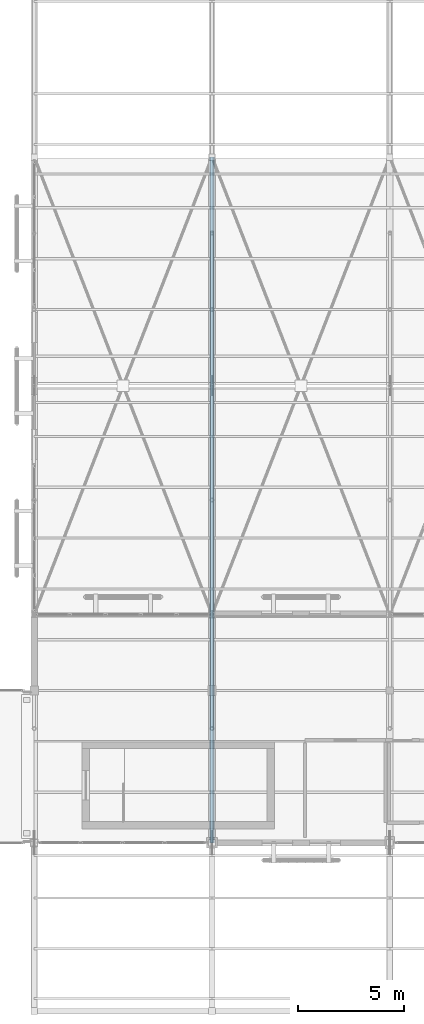
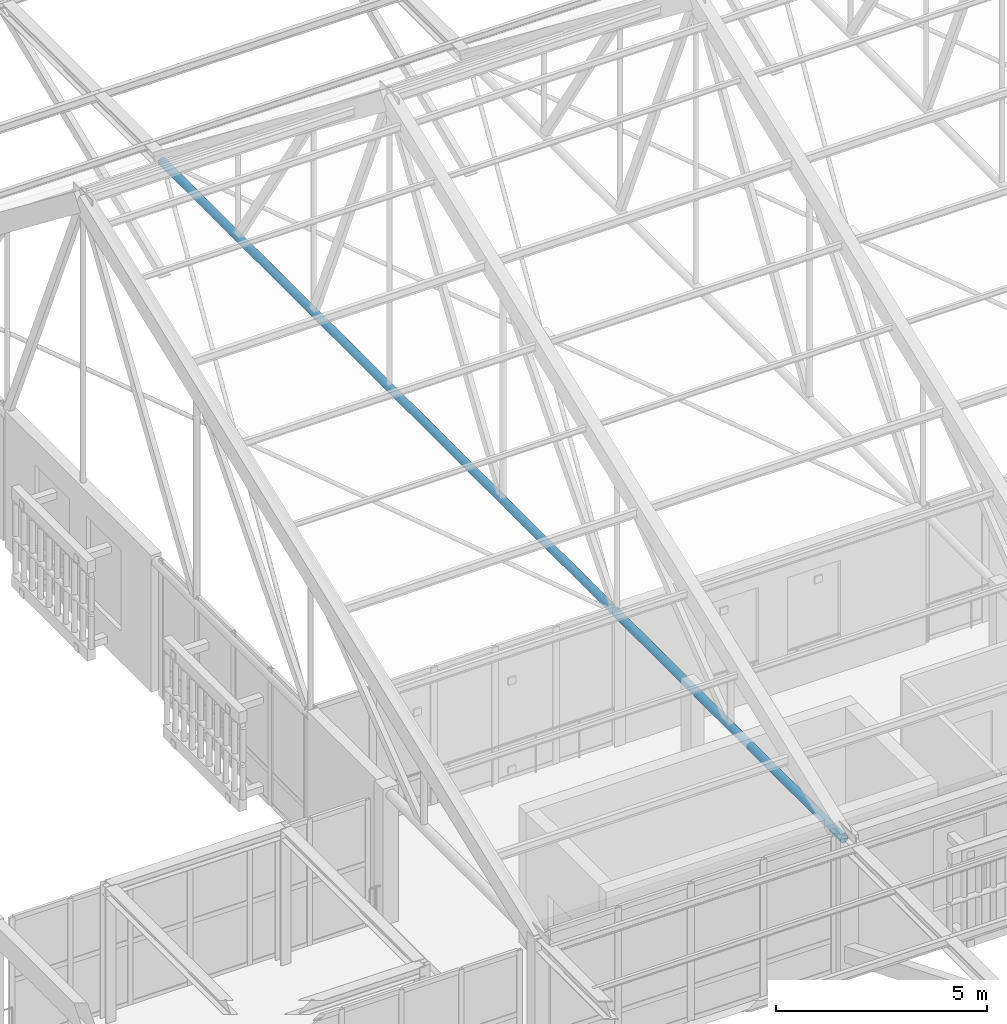
# One storey, part 74 of 217: 1 member.
"""IFC4 building model written with IfcOpenShell, lengths in metres."""

from ifc_helpers import new_model, si_unit, direction, frame, origin, origin_2d, place, context, subcontext, project, spatial, hollow_circle, extrude, material, material_profile, profile_set, type_object, element, save


model = new_model("IFC4")

# Units and contexts
model_context = context("Model", 3, precision=1e-05, world=origin(), true_north=direction((0.0, 1.0)))
body_context = subcontext(model_context, "Body", "Model", "MODEL_VIEW")
ifc_project = project(units=[si_unit("LENGTHUNIT", "METRE"), si_unit("AREAUNIT", "SQUARE_METRE"), si_unit("VOLUMEUNIT", "CUBIC_METRE"), si_unit("PLANEANGLEUNIT", "RADIAN"), si_unit("MASSUNIT", "GRAM", prefix="KILO")], contexts=[model_context])

# Site, building, storey
site_placement = place(None, origin())
site = spatial("IfcSite", under=ifc_project, at=site_placement, CompositionType="ELEMENT")
building_placement = place(site_placement, origin())
building = spatial("IfcBuilding", under=site, at=building_placement, Name="Mazaris Harbour Polytechnic", CompositionType="ELEMENT")
storey_placement = place(building_placement, frame((0.0, 0.0, 9.60009765625)))
storey = spatial("IfcBuildingStorey", under=building, at=storey_placement, Name="L02", CompositionType="ELEMENT", Elevation=9.60009765625)

# Member
ifc_material = material(Name="Steel S355", Category="steel")
ifc_material_profile = material_profile(ifc_material, hollow_circle(Radius=0.109619140625, WallThickness=0.010009765625, at=origin_2d()), Name="CHS 219.1x10.0")
ifc_profile_set = profile_set([ifc_material_profile], Name="Steel S355")
member_type = type_object("IfcMemberType", Name="Steel Tie Chord CHS219", PredefinedType="CHORD", material=ifc_profile_set)
member_placement = place(storey_placement, frame((62.39990234375, 75.60009765625, 3.75), z_axis=(0.0, 1.0, 0.0), x_axis=(-1.0, 0.0, 0.0)))
element("IfcMember", 1, at=member_placement, inside=storey, type_object=member_type, Name="Truss 2 Continuous Tie Chord", PredefinedType="CHORD", context=body_context, shape_type="SweptSolid", body=[
    extrude(hollow_circle(Radius=0.109619140625, WallThickness=0.010009765625, at=origin_2d()), origin(), (0.0, 0.0, 1.0), 32.39990234375),
])

save(model, "model.ifc")
